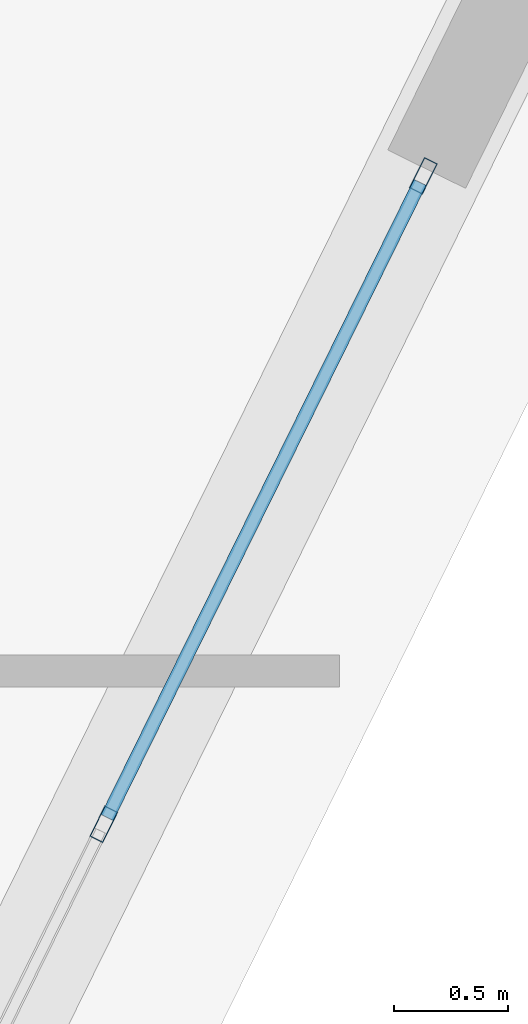
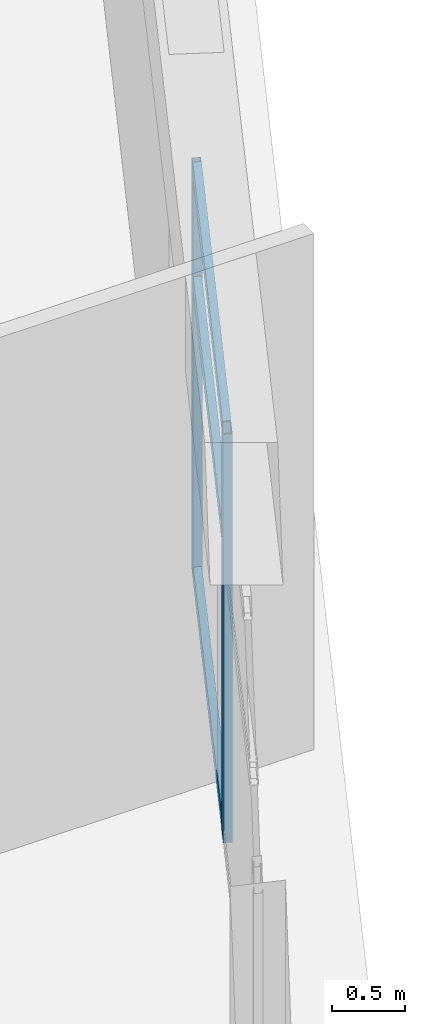
# One storey, part 22 of 35: 5 members, 1 element without a shape of its own.
"""IFC4 building model written with IfcOpenShell, lengths in metres."""

import ifcopenshell
import ifcopenshell.guid

model = None  # the IFC model being written
_history = None  # IfcOwnerHistory: only IFC2X3 demands one
_inside = {}  # id of a spatial element -> (the spatial element, [elements in it])
_under = {}  # id of a project, library or spatial element -> (it, [spatial elements below it])
_declared = {}  # id of a project -> (the project, [libraries it declares])
_typed = {}  # id of a type object -> (the type object, [elements of that type])
_made_of = {}  # id of a material, layer set ... -> (it, [elements and type objects made of it])


def new_model(schema):
    """Start an empty IFC model of exactly this schema.

    Asked for "IFC4X3", IfcOpenShell would pick the latest addendum, in which some entities
    have other attributes; the version numbers below select the first issue.
    IFC2X3 requires an IfcOwnerHistory on every rooted entity: one is made here for all.
    """
    global model, _history
    if schema == "IFC4X3":
        model = ifcopenshell.file(schema_version=(4, 3, 0, 0))
    else:
        model = ifcopenshell.file(schema=schema)
    _inside.clear()
    _under.clear()
    _declared.clear()
    _typed.clear()
    _made_of.clear()
    _history = None
    if model.schema == "IFC2X3":
        org = make("IfcOrganization", Name="unknown")
        user = make(
            "IfcPersonAndOrganization",
            ThePerson=make("IfcPerson", FamilyName="unknown"),
            TheOrganization=org,
        )
        app = make(
            "IfcApplication",
            ApplicationDeveloper=org,
            Version="unknown",
            ApplicationFullName="unknown",
            ApplicationIdentifier="unknown",
        )
        _history = make(
            "IfcOwnerHistory",
            OwningUser=user,
            OwningApplication=app,
            ChangeAction="ADDED",
            CreationDate=0,
        )
    return model


def make(cls, **values):
    """One entity of the class cls with the attributes given. An attribute that is None is left unset."""
    return model.create_entity(
        cls, **{name: value for name, value in values.items() if value is not None}
    )


def rooted(cls, **values):
    """An entity with a GlobalId (a new one), such as an element, a storey or a relation."""
    return make(cls, GlobalId=ifcopenshell.guid.new(), OwnerHistory=_history, **values)


def si_unit(unit_type, name, prefix=None):
    """IfcSIUnit, for example si_unit("LENGTHUNIT", "METRE", prefix="MILLI")."""
    return make("IfcSIUnit", UnitType=unit_type, Prefix=prefix, Name=name)


def assignment(units):
    """IfcUnitAssignment: the units of a project."""
    return None if units is None else make("IfcUnitAssignment", Units=units)


def point(xyz):
    """IfcCartesianPoint."""
    return None if xyz is None else make("IfcCartesianPoint", Coordinates=xyz)


def direction(xyz):
    """IfcDirection."""
    return None if xyz is None else make("IfcDirection", DirectionRatios=xyz)


def frame(location, z_axis=None, x_axis=None):
    """IfcAxis2Placement3D, a coordinate frame: its origin and axes. An axis left out is left unset."""
    return make(
        "IfcAxis2Placement3D",
        Location=point(location),
        Axis=direction(z_axis),
        RefDirection=direction(x_axis),
    )


def frame_2d(location, x_axis=None):
    """IfcAxis2Placement2D, a coordinate frame in the plane: its origin and x axis."""
    return make(
        "IfcAxis2Placement2D", Location=point(location), RefDirection=direction(x_axis)
    )


def origin():
    """The frame at (0, 0, 0) with its axes left unset."""
    return frame((0.0, 0.0, 0.0))


def origin_2d():
    """The frame at (0, 0) in the plane with its x axis left unset."""
    return frame_2d((0.0, 0.0))


def place(relative_to, where):
    """IfcLocalPlacement: puts the frame where relative to a parent placement (None: the world)."""
    return make(
        "IfcLocalPlacement", PlacementRelTo=relative_to, RelativePlacement=where
    )


def context(
    kind, dimensions, precision=None, world=None, true_north=None, identifier=None
):
    """IfcGeometricRepresentationContext, for example the 3D "Model" context."""
    return make(
        "IfcGeometricRepresentationContext",
        ContextIdentifier=identifier,
        ContextType=kind,
        CoordinateSpaceDimension=dimensions,
        Precision=precision,
        WorldCoordinateSystem=world,
        TrueNorth=true_north,
    )


def subcontext(parent, identifier, kind, view, scale=None):
    """IfcGeometricRepresentationSubContext, for example "Body" below "Model"."""
    return make(
        "IfcGeometricRepresentationSubContext",
        ContextIdentifier=identifier,
        ContextType=kind,
        ParentContext=parent,
        TargetScale=scale,
        TargetView=view,
    )


def project(units=None, contexts=None):
    """IfcProject with its units and contexts."""
    return rooted(
        "IfcProject",
        Name="project",
        RepresentationContexts=contexts,
        UnitsInContext=assignment(units),
    )


def spatial(cls, under=None, at=None, **own):
    """A site, building, storey or space (cls), placed at a placement, below another one or the project."""
    s = rooted(cls, ObjectPlacement=at, **own)
    if under is not None:
        _under.setdefault(under.id(), (under, []))[1].append(s)
    return s


def profile(cls, at=None, kind="AREA", **sizes):
    """A parametric profile (cls). Its sizes go by their IFC names, for example OverallWidth=200.0."""
    return make(cls, ProfileType=kind, Position=at, **sizes)


def hollow_rectangle(**sizes):
    """IfcRectangleHollowProfileDef."""
    return profile("IfcRectangleHollowProfileDef", **sizes)


def extrude(swept, where, along, depth):
    """IfcExtrudedAreaSolid: the profile swept, set in the frame where, extruded along a direction by depth."""
    return make(
        "IfcExtrudedAreaSolid",
        SweptArea=swept,
        Position=where,
        ExtrudedDirection=direction(along),
        Depth=depth,
    )


def shape(context_of_items, identifier, shape_type, items):
    """IfcShapeRepresentation: the items that make up one representation, for example the "Body"."""
    return make(
        "IfcShapeRepresentation",
        ContextOfItems=context_of_items,
        RepresentationIdentifier=identifier,
        RepresentationType=shape_type,
        Items=items,
    )


def source(mapping_origin, context_of_items, identifier, shape_type, items):
    """IfcRepresentationMap: a shape defined once, which mapped items show again and again."""
    return make(
        "IfcRepresentationMap",
        MappingOrigin=mapping_origin,
        MappedRepresentation=shape(context_of_items, identifier, shape_type, items),
    )


def transform(
    local_origin,
    x_axis=None,
    y_axis=None,
    z_axis=None,
    scale=None,
    scale2=None,
    scale3=None,
    uniform=True,
):
    """IfcCartesianTransformationOperator3D, or its non-uniform kind. x_axis, y_axis, z_axis: its Axis1, 2, 3."""
    if uniform:
        return make(
            "IfcCartesianTransformationOperator3D",
            Axis1=direction(x_axis),
            Axis2=direction(y_axis),
            LocalOrigin=point(local_origin),
            Scale=scale,
            Axis3=direction(z_axis),
        )
    return make(
        "IfcCartesianTransformationOperator3DnonUniform",
        Axis1=direction(x_axis),
        Axis2=direction(y_axis),
        LocalOrigin=point(local_origin),
        Scale=scale,
        Axis3=direction(z_axis),
        Scale2=scale2,
        Scale3=scale3,
    )


def mapped(mapping_source, mapping_target):
    """IfcMappedItem: shows the shape of a source again, moved by a transform."""
    return make(
        "IfcMappedItem", MappingSource=mapping_source, MappingTarget=mapping_target
    )


def material(Name=None, Category=None):
    """IfcMaterial."""
    return make("IfcMaterial", Name=Name, Category=Category)


def layer(
    of_material, thickness, ventilated=None, Name=None, Category=None, Priority=None
):
    """IfcMaterialLayer: one layer of a wall or slab, of a material (None: an air gap)."""
    return make(
        "IfcMaterialLayer",
        Material=of_material,
        LayerThickness=thickness,
        IsVentilated=ventilated,
        Name=Name,
        Category=Category,
        Priority=Priority,
    )


def layer_set(layers, Name=None):
    """IfcMaterialLayerSet."""
    return make("IfcMaterialLayerSet", MaterialLayers=layers, LayerSetName=Name)


def material_profile(
    of_material, cross_section, Name=None, Category=None, Priority=None
):
    """IfcMaterialProfile: a cross section and its material."""
    return make(
        "IfcMaterialProfile",
        Name=Name,
        Material=of_material,
        Profile=cross_section,
        Priority=Priority,
        Category=Category,
    )


def profile_set(profiles, Name=None, composite=None):
    """IfcMaterialProfileSet."""
    return make(
        "IfcMaterialProfileSet",
        Name=Name,
        MaterialProfiles=profiles,
        CompositeProfile=composite,
    )


def made_of(thing, what):
    """Note that an element or type object is made of a material, layer set ...; save() writes the relation."""
    if what is not None:
        _made_of.setdefault(what.id(), (what, []))[1].append(thing)
    return thing


def type_object(cls, material=None, **own):
    """A type object (cls), such as IfcWallType, which elements share."""
    return made_of(rooted(cls, **own), material)


def element(
    cls,
    number,
    at=None,
    inside=None,
    cuts=None,
    type_object=None,
    material=None,
    context=None,
    identifier="Body",
    shape_type=None,
    held_by="IfcProductDefinitionShape",
    body=None,
    shapes=None,
    **own,
):
    """One element of the class cls, such as IfcWall. Its Tag is "e" and its number.

    at: its placement. inside: the storey or other place that contains it. cuts: it is an
    opening in that element (IfcRelVoidsElement). A single representation is given by context,
    identifier, shape_type and body (its items); several are given by shapes. held_by: the class
    of the entity that holds the representations. save() writes the other relations.
    """
    e = rooted(cls, Tag="e%d" % number, ObjectPlacement=at, **own)
    if body is not None:
        shapes = [shape(context, identifier, shape_type, body)]
    if shapes is not None:
        e.Representation = make(held_by, Representations=shapes)
    if inside is not None:
        _inside.setdefault(inside.id(), (inside, []))[1].append(e)
    if cuts is not None:
        rooted(
            "IfcRelVoidsElement", RelatingBuildingElement=cuts, RelatedOpeningElement=e
        )
    if type_object is not None:
        _typed.setdefault(type_object.id(), (type_object, []))[1].append(e)
    return made_of(e, material)


def aggregate(whole, parts):
    """IfcRelAggregates: a whole, such as a stair, and the parts it consists of."""
    return rooted("IfcRelAggregates", RelatingObject=whole, RelatedObjects=parts)


def save(model, path):
    """Write the relations noted so far, then the file.

    IfcRelAggregates (storeys below a building ...), IfcRelContainedInSpatialStructure (elements
    in a storey), IfcRelDefinesByType, IfcRelAssociatesMaterial and IfcRelDeclares: one each for
    every whole, place, type object, material and project.
    """
    for whole, parts in _under.values():
        aggregate(whole, parts)
    for where, things in _inside.values():
        rooted(
            "IfcRelContainedInSpatialStructure",
            RelatedElements=things,
            RelatingStructure=where,
        )
    for kind, things in _typed.values():
        rooted("IfcRelDefinesByType", RelatedObjects=things, RelatingType=kind)
    for what, things in _made_of.values():
        rooted("IfcRelAssociatesMaterial", RelatedObjects=things, RelatingMaterial=what)
    for by, libraries in _declared.values():
        rooted("IfcRelDeclares", RelatingContext=by, RelatedDefinitions=libraries)
    model.write(path)


model = new_model("IFC4")

# Units and contexts
model_context = context("Model", 3, precision=1e-05, world=origin(), true_north=direction((0.0, 1.0)))
body_context = subcontext(model_context, "Body", "Model", "MODEL_VIEW")
ifc_project = project(units=[si_unit("LENGTHUNIT", "METRE"), si_unit("AREAUNIT", "SQUARE_METRE"), si_unit("VOLUMEUNIT", "CUBIC_METRE"), si_unit("PLANEANGLEUNIT", "RADIAN"), si_unit("MASSUNIT", "GRAM", prefix="KILO")], contexts=[model_context])

# Site, building, storey
site_placement = place(None, origin())
site = spatial("IfcSite", under=ifc_project, at=site_placement, CompositionType="ELEMENT")
building_placement = place(site_placement, origin())
building = spatial("IfcBuilding", under=site, at=building_placement, Name="Liaohun Quay Tower", CompositionType="ELEMENT")
storey_placement = place(building_placement, frame((0.0, 0.0, 282.0)))
storey = spatial("IfcBuildingStorey", under=building, at=storey_placement, Name="L73", CompositionType="ELEMENT", Elevation=282.0)

# Curtain wall, members
ifc_material_1 = material(Name="Upper sky-lobby belvedere curtain wall")
ifc_layer = layer(ifc_material_1, 0.199951171875, Name="Upper sky-lobby belvedere curtain wall")
ifc_layer_set = layer_set([ifc_layer], Name="Upper sky-lobby belvedere curtain wall")
curtain_wall_type = type_object("IfcCurtainWallType", Name="CW-SKY-L73", PredefinedType="NOTDEFINED", material=ifc_layer_set)
curtain_wall_placement = place(storey_placement, origin())
curtain_wall = element("IfcCurtainWall", 1, at=curtain_wall_placement, inside=storey, type_object=curtain_wall_type, Name="L73 Panoramic Belvedere Curtain Wall 02", PredefinedType="NOTDEFINED")
ifc_material_2 = material(Name="Anodised aluminium 6063-T6", Category="aluminium")
ifc_material_profile_1 = material_profile(ifc_material_2, hollow_rectangle(XDim=0.06494140625, YDim=0.14990234375, WallThickness=0.00390625, at=origin_2d()), Name="RHS150x65x4")
ifc_profile_set_1 = profile_set([ifc_material_profile_1], Name="Anodised aluminium 6063-T6")
member_type_1 = type_object("IfcMemberType", Name="MEM-CWM-SKY", PredefinedType="MULLION", material=ifc_profile_set_1)
shared_shape_1 = source(origin(), body_context, "Body", "SweptSolid", [
    extrude(hollow_rectangle(XDim=0.06494140625, YDim=0.14990234375, WallThickness=0.00390625, at=origin_2d()), origin(), (0.0, 0.0, 1.0), 3.419921875),
])
member_1_placement = place(storey_placement, frame((84.721435546875, 53.327880859375, 0.0), z_axis=(0.0, 0.0, 1.0), x_axis=(-0.896975291213, 0.442080679235, 0.0)))
member_1 = element("IfcMember", 2, at=member_1_placement, type_object=member_type_1, Name="CW5 mullion 2", PredefinedType="MULLION", context=body_context, shape_type="MappedRepresentation", body=[
    mapped(shared_shape_1, transform((0.0, 0.0, 0.0), x_axis=(1.0, 0.0, 0.0), y_axis=(0.0, 1.0, 0.0), z_axis=(0.0, 0.0, 1.0), scale=1.0)),
])
member_2_placement = place(storey_placement, frame((86.12158203125, 56.1689453125, 0.0), z_axis=(0.0, 0.0, 1.0), x_axis=(-0.896975291213, 0.442080679235, 0.0)))
member_2 = element("IfcMember", 3, at=member_2_placement, type_object=member_type_1, Name="CW5 mullion 3", PredefinedType="MULLION", context=body_context, shape_type="MappedRepresentation", body=[
    mapped(shared_shape_1, transform((0.0, 0.0, 0.0), x_axis=(1.0, 0.0, 0.0), y_axis=(0.0, 1.0, 0.0), z_axis=(0.0, 0.0, 1.0), scale=1.0)),
])
ifc_material_profile_2 = material_profile(ifc_material_2, hollow_rectangle(XDim=0.06005859375, YDim=0.135009765625, WallThickness=0.00390625, at=origin_2d()), Name="RHS135x60x4")
ifc_profile_set_2 = profile_set([ifc_material_profile_2], Name="Anodised aluminium 6063-T6")
member_type_2 = type_object("IfcMemberType", Name="MEM-CWT-SKY", PredefinedType="USERDEFINED", material=ifc_profile_set_2)
shared_shape_2 = source(origin(), body_context, "Body", "SweptSolid", [
    extrude(hollow_rectangle(XDim=0.06005859375, YDim=0.135009765625, WallThickness=0.00390625, at=origin_2d()), origin(), (0.0, 0.0, 1.0), 3.10205078125),
])
member_3_placement = place(storey_placement, frame((84.73583984375, 53.357177734375, 0.030029296875), z_axis=(0.442074799362, 0.896978189127, 0.0), x_axis=(-0.896978189127, 0.442074799362, 0.0)))
member_3 = element("IfcMember", 4, at=member_3_placement, type_object=member_type_2, Name="CW5 transom 2.1", ObjectType="TRANSOM", PredefinedType="USERDEFINED", context=body_context, shape_type="MappedRepresentation", body=[
    mapped(shared_shape_2, transform((0.0, 0.0, 0.0), x_axis=(1.0, 0.0, 0.0), y_axis=(0.0, 1.0, 0.0), z_axis=(0.0, 0.0, 1.0), scale=1.0)),
])
member_4_placement = place(storey_placement, frame((84.73583984375, 53.357177734375, 2.4619140625), z_axis=(0.442074799362, 0.896978189127, 0.0), x_axis=(-0.896978189127, 0.442074799362, 0.0)))
member_4 = element("IfcMember", 5, at=member_4_placement, type_object=member_type_2, Name="CW5 transom 2.2", ObjectType="TRANSOM", PredefinedType="USERDEFINED", context=body_context, shape_type="MappedRepresentation", body=[
    mapped(shared_shape_2, transform((0.0, 0.0, 0.0), x_axis=(1.0, 0.0, 0.0), y_axis=(0.0, 1.0, 0.0), z_axis=(0.0, 0.0, 1.0), scale=1.0)),
])
member_5_placement = place(storey_placement, frame((84.73583984375, 53.357177734375, 3.389892578125), z_axis=(0.442074799362, 0.896978189127, 0.0), x_axis=(-0.896978189127, 0.442074799362, 0.0)))
member_5 = element("IfcMember", 6, at=member_5_placement, type_object=member_type_2, Name="CW5 transom 2.3", ObjectType="TRANSOM", PredefinedType="USERDEFINED", context=body_context, shape_type="MappedRepresentation", body=[
    mapped(shared_shape_2, transform((0.0, 0.0, 0.0), x_axis=(1.0, 0.0, 0.0), y_axis=(0.0, 1.0, 0.0), z_axis=(0.0, 0.0, 1.0), scale=1.0)),
])
aggregate(curtain_wall, [member_1, member_2, member_3, member_4, member_5])

save(model, "model.ifc")
